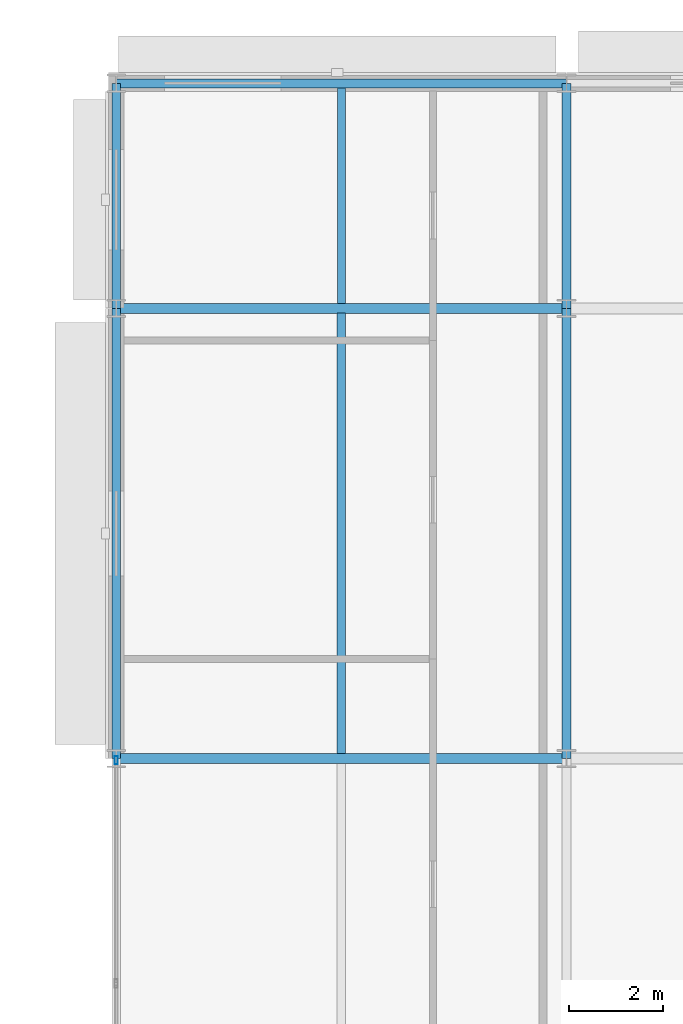
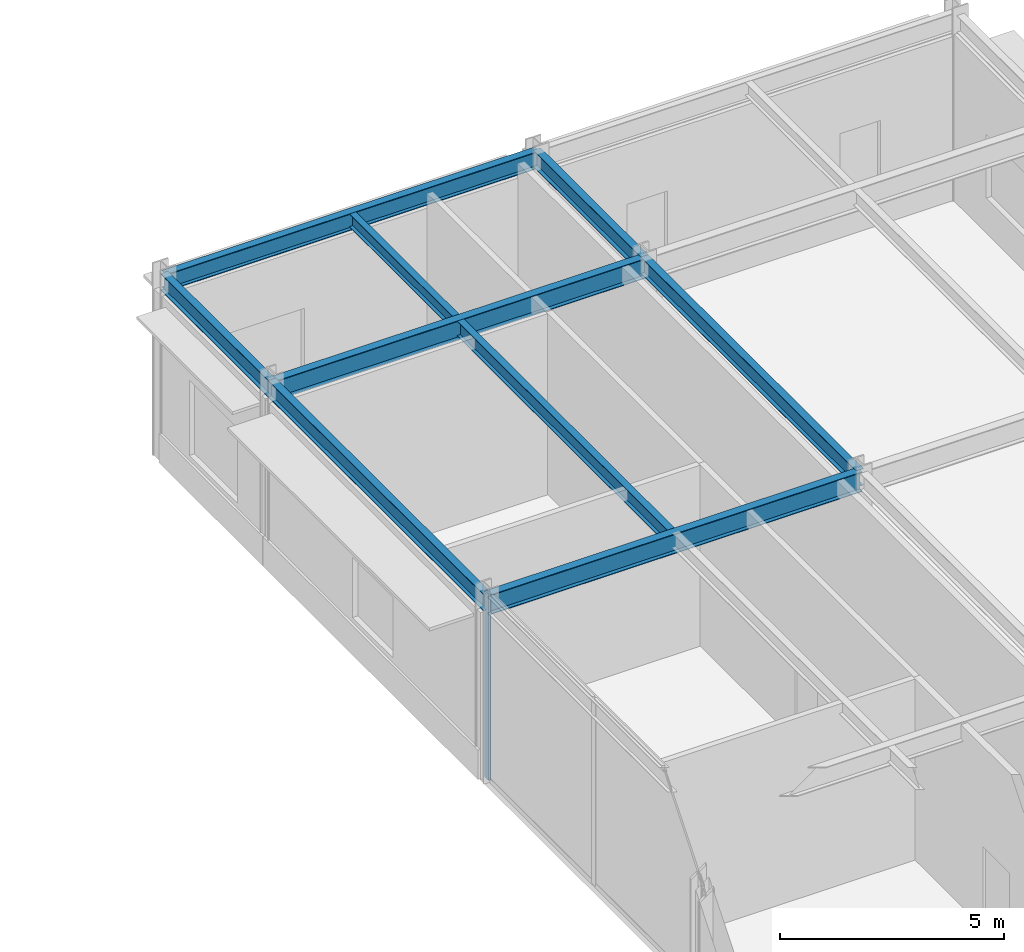
# One storey, part 110 of 168: 9 beams, 1 member, 1 element without a shape of its own.
"""IFC4 building model written with IfcOpenShell, lengths in metres."""

from ifc_helpers import new_model, si_unit, direction, frame, origin, origin_2d, place, context, subcontext, project, spatial, hollow_rectangle, i_section, extrude, material, material_profile, profile_set, type_object, element, aggregate, save


model = new_model("IFC4")

# Units and contexts
model_context = context("Model", 3, precision=1e-05, world=origin(), true_north=direction((0.0, 1.0)))
body_context = subcontext(model_context, "Body", "Model", "MODEL_VIEW")
ifc_project = project(units=[si_unit("LENGTHUNIT", "METRE"), si_unit("AREAUNIT", "SQUARE_METRE"), si_unit("VOLUMEUNIT", "CUBIC_METRE"), si_unit("PLANEANGLEUNIT", "RADIAN"), si_unit("MASSUNIT", "GRAM", prefix="KILO")], contexts=[model_context])

# Site, building, storey
site_placement = place(None, origin())
site = spatial("IfcSite", under=ifc_project, at=site_placement, CompositionType="ELEMENT")
building_placement = place(site_placement, origin())
building = spatial("IfcBuilding", under=site, at=building_placement, Name="Almandine Court Research Institute", CompositionType="ELEMENT")
storey_placement = place(building_placement, origin())
storey = spatial("IfcBuildingStorey", under=building, at=storey_placement, Name="L00", CompositionType="ELEMENT", Elevation=0.0)

# Beams
ifc_material_1 = material(Name="Steel ASTM A992 Grade 50", Category="steel")
ifc_material_profile_1 = material_profile(ifc_material_1, i_section(OverallWidth=0.18994140625, OverallDepth=0.45703125, WebThickness=0.009033203125, FlangeThickness=0.014892578125, at=origin_2d()), Name="W460x74")
ifc_profile_set_1 = profile_set([ifc_material_profile_1], Name="Steel ASTM A992 Grade 50")
beam_type_1 = type_object("IfcBeamType", Name="Beam-B-01", PredefinedType="BEAM", material=ifc_profile_set_1)
for number, where, z_axis, x_axis, name in (
    (1, (153.60009765625, 103.199951171875, 4.794921875), (0.0, 1.0, 0.0), (-1.0, 0.0, 0.0), "L00 V4 Primary Y Girder"),
    (2, (163.199951171875, 103.199951171875, 4.794921875), (0.0, 1.0, 0.0), (-1.0, 0.0, 0.0), "L00 V4 Primary Y Girder"),
):
    element("IfcBeam", number, at=place(storey_placement, frame(where, z_axis=z_axis, x_axis=x_axis)), inside=storey, type_object=beam_type_1, Name=name, PredefinedType="BEAM", context=body_context, shape_type="SweptSolid", body=[
        extrude(i_section(OverallWidth=0.18994140625, OverallDepth=0.45703125, WebThickness=0.009033203125, FlangeThickness=0.014892578125, at=origin_2d()), origin(), (0.0, 0.0, 1.0), 9.60009765625),
    ])
for number, where, z_axis, x_axis, name in (
    (3, (153.60009765625, 112.800048828125, 4.794921875), (0.0, 1.0, 0.0), (-1.0, 0.0, 0.0), "L00 V4 Primary Y Girder"),
    (4, (163.199951171875, 112.800048828125, 4.794921875), (0.0, 1.0, 0.0), (-1.0, 0.0, 0.0), "L00 V4 Primary Y Girder"),
):
    element("IfcBeam", number, at=place(storey_placement, frame(where, z_axis=z_axis, x_axis=x_axis)), inside=storey, type_object=beam_type_1, Name=name, PredefinedType="BEAM", context=body_context, shape_type="SweptSolid", body=[
        extrude(i_section(OverallWidth=0.18994140625, OverallDepth=0.45703125, WebThickness=0.009033203125, FlangeThickness=0.014892578125, at=origin_2d()), origin(), (0.0, 0.0, 1.0), 4.800048828125),
    ])
ifc_material_profile_2 = material_profile(ifc_material_1, i_section(OverallWidth=0.178955078125, OverallDepth=0.409912109375, WebThickness=0.009033203125, FlangeThickness=0.013916015625, at=origin_2d()), Name="W410x67")
ifc_profile_set_2 = profile_set([ifc_material_profile_2], Name="Steel ASTM A992 Grade 50")
beam_type_2 = type_object("IfcBeamType", Name="Beam-B-02", PredefinedType="JOIST", material=ifc_profile_set_2)
beam_1_placement = place(storey_placement, frame((158.39990234375, 103.302978515625, 4.818115234375), z_axis=(0.0, 1.0, 0.0), x_axis=(-1.0, 0.0, 0.0)))
element("IfcBeam", 5, at=beam_1_placement, inside=storey, type_object=beam_type_2, Name="L00 V4 Composite Secondary Beam", PredefinedType="JOIST", context=body_context, shape_type="SweptSolid", body=[
    extrude(i_section(OverallWidth=0.178955078125, OverallDepth=0.409912109375, WebThickness=0.009033203125, FlangeThickness=0.013916015625, at=origin_2d()), origin(), (0.0, 0.0, 1.0), 9.39404296875),
])
ifc_material_profile_3 = material_profile(ifc_material_1, i_section(OverallWidth=0.172119140625, OverallDepth=0.35791015625, WebThickness=0.008056640625, FlangeThickness=0.012939453125, at=origin_2d()), Name="W360x57")
ifc_profile_set_3 = profile_set([ifc_material_profile_3], Name="Steel ASTM A992 Grade 50")
beam_type_3 = type_object("IfcBeamType", Name="Beam-B-03", PredefinedType="JOIST", material=ifc_profile_set_3)
beam_2_placement = place(storey_placement, frame((158.39990234375, 112.903076171875, 4.843994140625), z_axis=(0.0, 1.0, 0.0), x_axis=(-1.0, 0.0, 0.0)))
element("IfcBeam", 6, at=beam_2_placement, inside=storey, type_object=beam_type_3, Name="L00 V4 Composite Secondary Beam", PredefinedType="JOIST", context=body_context, shape_type="SweptSolid", body=[
    extrude(i_section(OverallWidth=0.172119140625, OverallDepth=0.35791015625, WebThickness=0.008056640625, FlangeThickness=0.012939453125, at=origin_2d()), origin(), (0.0, 0.0, 1.0), 4.601806640625),
])
ifc_material_profile_4 = material_profile(ifc_material_1, i_section(OverallWidth=0.2109375, OverallDepth=0.5390625, WebThickness=0.011962890625, FlangeThickness=0.01904296875, at=origin_2d()), Name="W530x109")
ifc_profile_set_4 = profile_set([ifc_material_profile_4], Name="Steel ASTM A992 Grade 50")
beam_type_4 = type_object("IfcBeamType", Name="Beam-G-04", PredefinedType="BEAM", material=ifc_profile_set_4)
for number, where, z_axis, x_axis, name in (
    (7, (153.60009765625, 103.199951171875, 4.75390625), (1.0, 0.0, 0.0), (0.0, 1.0, 0.0), "L00 V4 Primary X Girder"),
    (8, (153.60009765625, 112.800048828125, 4.75390625), (1.0, 0.0, 0.0), (0.0, 1.0, 0.0), "L00 V4 Primary X Girder"),
):
    element("IfcBeam", number, at=place(storey_placement, frame(where, z_axis=z_axis, x_axis=x_axis)), inside=storey, type_object=beam_type_4, Name=name, PredefinedType="BEAM", context=body_context, shape_type="SweptSolid", body=[
        extrude(i_section(OverallWidth=0.2109375, OverallDepth=0.5390625, WebThickness=0.011962890625, FlangeThickness=0.01904296875, at=origin_2d()), origin(), (0.0, 0.0, 1.0), 9.599853515625),
    ])
ifc_material_profile_5 = material_profile(ifc_material_1, i_section(OverallWidth=0.193115234375, OverallDepth=0.466064453125, WebThickness=0.010986328125, FlangeThickness=0.01904296875, at=origin_2d()), Name="W460x97")
ifc_profile_set_5 = profile_set([ifc_material_profile_5], Name="Steel ASTM A992 Grade 50")
beam_type_5 = type_object("IfcBeamType", Name="Beam-G-06-E", PredefinedType="SPANDREL", material=ifc_profile_set_5)
beam_3_placement = place(storey_placement, frame((153.60009765625, 117.60009765625, 4.7900390625), z_axis=(1.0, 0.0, 0.0), x_axis=(0.0, 1.0, 0.0)))
element("IfcBeam", 9, at=beam_3_placement, inside=storey, type_object=beam_type_5, Name="L00 V4 Primary X Girder", PredefinedType="SPANDREL", context=body_context, shape_type="SweptSolid", body=[
    extrude(i_section(OverallWidth=0.193115234375, OverallDepth=0.466064453125, WebThickness=0.010986328125, FlangeThickness=0.01904296875, at=origin_2d()), origin(), (0.0, 0.0, 1.0), 9.599853515625),
])

# Curtain wall, member
ifc_material_2 = material(Name="Unitised Curtain Wall Framing and Solar Glazing", Category="glass")
curtain_wall_type = type_object("IfcCurtainWallType", Name="CW-CWJ-13", PredefinedType="USERDEFINED", material=ifc_material_2)
curtain_wall_placement = place(storey_placement, origin())
curtain_wall = element("IfcCurtainWall", 10, at=curtain_wall_placement, inside=storey, type_object=curtain_wall_type, Name="L00 Wet Lab West Courtyard Jali Curtain Wall 7", ObjectType="SOLAR JALI SCREEN", PredefinedType="USERDEFINED")
ifc_material_3 = material(Name="Anodised Aluminium AW-6063-T6", Category="aluminium")
ifc_material_profile_6 = material_profile(ifc_material_3, hollow_rectangle(XDim=0.06494140625, YDim=0.179931640625, WallThickness=0.00390625, at=origin_2d()), Name="ALU RHS 65x180x4")
ifc_profile_set_6 = profile_set([ifc_material_profile_6], Name="Anodised Aluminium AW-6063-T6")
member_type = type_object("IfcMemberType", Name="CWMul-65x180", PredefinedType="MULLION", material=ifc_profile_set_6)
member_placement = place(storey_placement, frame((153.60009765625, 103.16357421875, 0.0), z_axis=(0.0, 0.0, 1.0), x_axis=(-1.0, 0.0, 0.0)))
member = element("IfcMember", 11, at=member_placement, type_object=member_type, Name="CWJ-13 mullion 3", PredefinedType="MULLION", context=body_context, shape_type="SweptSolid", body=[
    extrude(hollow_rectangle(XDim=0.06494140625, YDim=0.179931640625, WallThickness=0.00390625, at=origin_2d()), origin(), (0.0, 0.0, 1.0), 5.070068359375),
])
aggregate(curtain_wall, [member])

save(model, "model.ifc")
